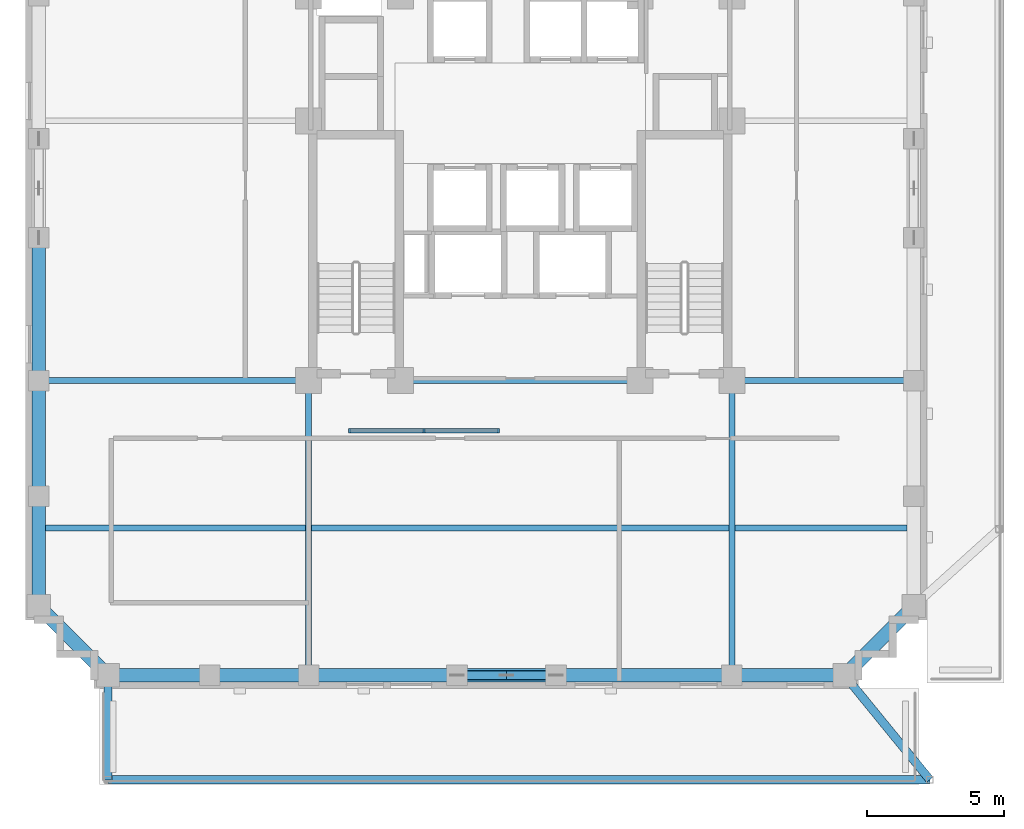
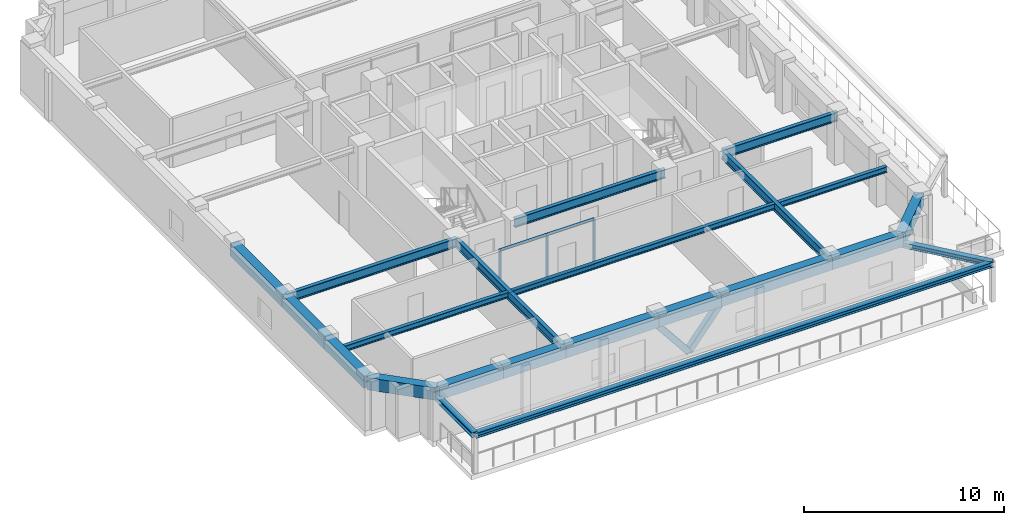
# One storey, part 5 of 15: 22 beams, 9 members, 1 element without a shape of its own.
"""IFC4 building model written with IfcOpenShell, lengths in metres."""

from ifc_helpers import new_model, si_unit, derived_unit, direction, frame, origin, origin_2d, place, context, subcontext, project, spatial, rectangle, hollow_rectangle, i_section, extrude, material, material_profile, profile_set, type_object, element, aggregate, save


model = new_model("IFC4")

# Units and contexts
model_context = context("Model", 3, precision=1e-05, world=origin(), true_north=direction((0.0, 1.0)))
body_context = subcontext(model_context, "Body", "Model", "MODEL_VIEW")
ifc_project = project(units=[si_unit("LENGTHUNIT", "METRE"), si_unit("AREAUNIT", "SQUARE_METRE"), si_unit("VOLUMEUNIT", "CUBIC_METRE"), si_unit("PLANEANGLEUNIT", "RADIAN"), si_unit("MASSUNIT", "GRAM", prefix="KILO"), derived_unit("THERMALTRANSMITTANCEUNIT", [(si_unit("MASSUNIT", "GRAM", prefix="KILO"), 1), (si_unit("TIMEUNIT", "SECOND"), -3), (si_unit("THERMODYNAMICTEMPERATUREUNIT", "KELVIN"), -1)])], contexts=[model_context])

# Site, building, storey
site_placement = place(None, origin())
site = spatial("IfcSite", under=ifc_project, at=site_placement, CompositionType="ELEMENT")
building_placement = place(site_placement, origin())
building = spatial("IfcBuilding", under=site, at=building_placement, Name="Korrvale Station Residences", CompositionType="ELEMENT")
storey_placement = place(building_placement, frame((0.0, 0.0, 124.39990234375)))
storey = spatial("IfcBuildingStorey", under=building, at=storey_placement, Name="L35", CompositionType="ELEMENT", Elevation=124.39990234375)

# Beams
ifc_material_1 = material(Name="Steel S355", Category="steel")
ifc_material_profile_1 = material_profile(ifc_material_1, i_section(OverallWidth=0.214111328125, OverallDepth=0.549072265625, WebThickness=0.0146484375, FlangeThickness=0.023681640625, FilletRadius=0.01806640625, at=origin_2d()), Name="W530x138")
ifc_profile_set_1 = profile_set([ifc_material_profile_1], Name="Steel S355")
beam_type_1 = type_object("IfcBeamType", Name="BM-BM-W530x138-S355", PredefinedType="BEAM", material=ifc_profile_set_1)
for number, where, z_axis, x_axis, name in (
    (1, (17.800048828125, 4.280029296875, 2.715576171875), (0.0, 1.0, 0.0), (-1.0, 0.0, 0.0), "L35 Bundled-Tube Web Girder 01"),
    (2, (33.199951171875, 4.280029296875, 2.715576171875), (0.0, 1.0, 0.0), (-1.0, 0.0, 0.0), "L35 Bundled-Tube Web Girder 02"),
):
    element("IfcBeam", number, at=place(storey_placement, frame(where, z_axis=z_axis, x_axis=x_axis)), inside=storey, type_object=beam_type_1, Name=name, PredefinedType="BEAM", context=body_context, shape_type="SweptSolid", body=[
        extrude(i_section(OverallWidth=0.214111328125, OverallDepth=0.549072265625, WebThickness=0.0146484375, FlangeThickness=0.023681640625, FilletRadius=0.01806640625, at=origin_2d()), origin(), (0.0, 0.0, 1.0), 10.719970703125),
    ])
beam_1_placement = place(storey_placement, frame((7.97998046875, 15.0, 2.715576171875), z_axis=(1.0, 0.0, 0.0), x_axis=(0.0, 1.0, 0.0)))
element("IfcBeam", 3, at=beam_1_placement, inside=storey, type_object=beam_type_1, Name="L35 Bundled-Tube Web Girder 05", PredefinedType="BEAM", context=body_context, shape_type="SweptSolid", body=[
    extrude(i_section(OverallWidth=0.214111328125, OverallDepth=0.549072265625, WebThickness=0.0146484375, FlangeThickness=0.023681640625, FilletRadius=0.01806640625, at=origin_2d()), origin(), (0.0, 0.0, 1.0), 9.820068359375),
])
beam_2_placement = place(storey_placement, frame((33.199951171875, 15.0, 2.715576171875), z_axis=(1.0, 0.0, 0.0), x_axis=(0.0, 1.0, 0.0)))
element("IfcBeam", 4, at=beam_2_placement, inside=storey, type_object=beam_type_1, Name="L35 Bundled-Tube Web Girder 06", PredefinedType="BEAM", context=body_context, shape_type="SweptSolid", body=[
    extrude(i_section(OverallWidth=0.214111328125, OverallDepth=0.549072265625, WebThickness=0.0146484375, FlangeThickness=0.023681640625, FilletRadius=0.01806640625, at=origin_2d()), origin(), (0.0, 0.0, 1.0), 6.6201171875),
])
beam_3_placement = place(storey_placement, frame((21.14990234375, 15.0, 2.715576171875), z_axis=(1.0, 0.0, 0.0), x_axis=(0.0, 1.0, 0.0)))
element("IfcBeam", 5, at=beam_3_placement, inside=storey, type_object=beam_type_1, Name="L35 Bundled-Tube Web Girder 09", PredefinedType="BEAM", context=body_context, shape_type="SweptSolid", body=[
    extrude(i_section(OverallWidth=0.214111328125, OverallDepth=0.549072265625, WebThickness=0.0146484375, FlangeThickness=0.023681640625, FilletRadius=0.01806640625, at=origin_2d()), origin(), (0.0, 0.0, 1.0), 8.7001953125),
])
ifc_material_profile_2 = material_profile(ifc_material_1, i_section(OverallWidth=0.205078125, OverallDepth=0.35400390625, WebThickness=0.009521484375, FlangeThickness=0.016845703125, FilletRadius=0.014892578125, at=origin_2d()), Name="W360x79")
ifc_profile_set_2 = profile_set([ifc_material_profile_2], Name="Steel S355")
beam_type_2 = type_object("IfcBeamType", Name="BM-JST-W360x79-S355", PredefinedType="JOIST", material=ifc_profile_set_2)
beam_4_placement = place(storey_placement, frame((8.22998046875, 9.639892578125, 2.81298828125), z_axis=(1.0, 0.0, 0.0), x_axis=(0.0, 1.0, 0.0)))
element("IfcBeam", 6, at=beam_4_placement, inside=storey, type_object=beam_type_2, Name="L35 Floor Framing Joist 01", PredefinedType="JOIST", context=body_context, shape_type="SweptSolid", body=[
    extrude(i_section(OverallWidth=0.205078125, OverallDepth=0.35400390625, WebThickness=0.009521484375, FlangeThickness=0.016845703125, FilletRadius=0.014892578125, at=origin_2d()), origin(), (0.0, 0.0, 1.0), 9.463134765625),
])
beam_5_placement = place(storey_placement, frame((17.906982421875, 9.639892578125, 2.81298828125), z_axis=(1.0, 0.0, 0.0), x_axis=(0.0, 1.0, 0.0)))
element("IfcBeam", 7, at=beam_5_placement, inside=storey, type_object=beam_type_2, Name="L35 Floor Framing Joist 02", PredefinedType="JOIST", context=body_context, shape_type="SweptSolid", body=[
    extrude(i_section(OverallWidth=0.205078125, OverallDepth=0.35400390625, WebThickness=0.009521484375, FlangeThickness=0.016845703125, FilletRadius=0.014892578125, at=origin_2d()), origin(), (0.0, 0.0, 1.0), 15.18603515625),
])
beam_6_placement = place(storey_placement, frame((33.306884765625, 9.639892578125, 2.81298828125), z_axis=(1.0, 0.0, 0.0), x_axis=(0.0, 1.0, 0.0)))
element("IfcBeam", 8, at=beam_6_placement, inside=storey, type_object=beam_type_2, Name="L35 Floor Framing Joist 03", PredefinedType="JOIST", context=body_context, shape_type="SweptSolid", body=[
    extrude(i_section(OverallWidth=0.205078125, OverallDepth=0.35400390625, WebThickness=0.009521484375, FlangeThickness=0.016845703125, FilletRadius=0.014892578125, at=origin_2d()), origin(), (0.0, 0.0, 1.0), 6.26318359375),
])
ifc_material_2 = material(Name="Concrete C60/75", Category="concrete")
ifc_material_profile_3 = material_profile(ifc_material_2, rectangle(XDim=0.5, YDim=0.75, at=origin_2d()), Name="RCB500x750")
ifc_profile_set_3 = profile_set([ifc_material_profile_3], Name="Concrete C60/75")
beam_type_3 = type_object("IfcBeamType", Name="BM-SPB-RCB500x750-C6075", PredefinedType="SPANDREL", material=ifc_profile_set_3)
beam_7_placement = place(storey_placement, frame((10.5, 4.280029296875, 2.614990234375), z_axis=(1.0, 0.0, 0.0), x_axis=(0.0, 1.0, 0.0)))
element("IfcBeam", 9, at=beam_7_placement, inside=storey, type_object=beam_type_3, Name="L35 South Tube Spandrel 01", PredefinedType="SPANDREL", context=body_context, shape_type="SweptSolid", body=[
    extrude(rectangle(XDim=0.5, YDim=0.75, at=origin_2d()), origin(), (0.0, 0.0, 1.0), 3.699951171875),
])
beam_8_placement = place(storey_placement, frame((14.199951171875, 4.280029296875, 2.614990234375), z_axis=(1.0, 0.0, 0.0), x_axis=(0.0, 1.0, 0.0)))
element("IfcBeam", 10, at=beam_8_placement, inside=storey, type_object=beam_type_3, Name="L35 South Tube Spandrel 02", PredefinedType="SPANDREL", context=body_context, shape_type="SweptSolid", body=[
    extrude(rectangle(XDim=0.5, YDim=0.75, at=origin_2d()), origin(), (0.0, 0.0, 1.0), 3.60009765625),
])
beam_9_placement = place(storey_placement, frame((17.800048828125, 4.280029296875, 2.614990234375), z_axis=(1.0, 0.0, 0.0), x_axis=(0.0, 1.0, 0.0)))
element("IfcBeam", 11, at=beam_9_placement, inside=storey, type_object=beam_type_3, Name="L35 South Tube Spandrel 03", PredefinedType="SPANDREL", context=body_context, shape_type="SweptSolid", body=[
    extrude(rectangle(XDim=0.5, YDim=0.75, at=origin_2d()), origin(), (0.0, 0.0, 1.0), 5.39990234375),
])
beam_10_placement = place(storey_placement, frame((23.199951171875, 4.280029296875, 2.614990234375), z_axis=(1.0, 0.0, 0.0), x_axis=(0.0, 1.0, 0.0)))
element("IfcBeam", 12, at=beam_10_placement, inside=storey, type_object=beam_type_3, Name="L35 South Tube Spandrel 04", PredefinedType="SPANDREL", context=body_context, shape_type="SweptSolid", body=[
    extrude(rectangle(XDim=0.5, YDim=0.75, at=origin_2d()), origin(), (0.0, 0.0, 1.0), 3.60009765625),
])
beam_11_placement = place(storey_placement, frame((26.800048828125, 4.280029296875, 2.614990234375), z_axis=(1.0, 0.0, 0.0), x_axis=(0.0, 1.0, 0.0)))
element("IfcBeam", 13, at=beam_11_placement, inside=storey, type_object=beam_type_3, Name="L35 South Tube Spandrel 05", PredefinedType="SPANDREL", context=body_context, shape_type="SweptSolid", body=[
    extrude(rectangle(XDim=0.5, YDim=0.75, at=origin_2d()), origin(), (0.0, 0.0, 1.0), 6.39990234375),
])
beam_12_placement = place(storey_placement, frame((33.199951171875, 4.280029296875, 2.614990234375), z_axis=(1.0, 0.0, 0.0), x_axis=(0.0, 1.0, 0.0)))
element("IfcBeam", 14, at=beam_12_placement, inside=storey, type_object=beam_type_3, Name="L35 South Tube Spandrel 06", PredefinedType="SPANDREL", context=body_context, shape_type="SweptSolid", body=[
    extrude(rectangle(XDim=0.5, YDim=0.75, at=origin_2d()), origin(), (0.0, 0.0, 1.0), 4.10009765625),
])
beam_13_placement = place(storey_placement, frame((7.97998046875, 6.800048828125, 2.614990234375), z_axis=(0.0, 1.0, 0.0), x_axis=(-1.0, 0.0, 0.0)))
element("IfcBeam", 15, at=beam_13_placement, inside=storey, type_object=beam_type_3, Name="L35 West Tube Spandrel 13", PredefinedType="SPANDREL", context=body_context, shape_type="SweptSolid", body=[
    extrude(rectangle(XDim=0.5, YDim=0.75, at=origin_2d()), origin(), (0.0, 0.0, 1.0), 4.0),
])
beam_14_placement = place(storey_placement, frame((7.97998046875, 10.800048828125, 2.614990234375), z_axis=(0.0, 1.0, 0.0), x_axis=(-1.0, 0.0, 0.0)))
element("IfcBeam", 16, at=beam_14_placement, inside=storey, type_object=beam_type_3, Name="L35 West Tube Spandrel 14", PredefinedType="SPANDREL", context=body_context, shape_type="SweptSolid", body=[
    extrude(rectangle(XDim=0.5, YDim=0.75, at=origin_2d()), origin(), (0.0, 0.0, 1.0), 4.199951171875),
])
beam_15_placement = place(storey_placement, frame((7.97998046875, 15.0, 2.614990234375), z_axis=(0.0, 1.0, 0.0), x_axis=(-1.0, 0.0, 0.0)))
element("IfcBeam", 17, at=beam_15_placement, inside=storey, type_object=beam_type_3, Name="L35 West Tube Spandrel 15", PredefinedType="SPANDREL", context=body_context, shape_type="SweptSolid", body=[
    extrude(rectangle(XDim=0.5, YDim=0.75, at=origin_2d()), origin(), (0.0, 0.0, 1.0), 5.199951171875),
])
for number, where, z_axis, x_axis, name in (
    (18, (10.5, 4.280029296875, 2.614990234375), (-0.707106781187, 0.707106781187, 0.0), (-0.707106781187, -0.707106781187, 0.0), "L35 Serrated Corner Spandrel 27"),
    (19, (37.300048828125, 4.280029296875, 2.614990234375), (0.707106781187, 0.707106781187, 0.0), (-0.707106781187, 0.707106781187, 0.0), "L35 Serrated Corner Spandrel 28"),
):
    element("IfcBeam", number, at=place(storey_placement, frame(where, z_axis=z_axis, x_axis=x_axis)), inside=storey, type_object=beam_type_3, Name=name, PredefinedType="SPANDREL", context=body_context, shape_type="SweptSolid", body=[
        extrude(rectangle(XDim=0.5, YDim=0.75, at=origin_2d()), origin(), (0.0, 0.0, 1.0), 3.56396484375),
    ])
ifc_material_profile_4 = material_profile(ifc_material_1, i_section(OverallWidth=0.304931640625, OverallDepth=0.30810546875, WebThickness=0.010009765625, FlangeThickness=0.015380859375, FilletRadius=0.014892578125, at=origin_2d()), Name="W310x97")
ifc_profile_set_4 = profile_set([ifc_material_profile_4], Name="Steel S355")
beam_type_4 = type_object("IfcBeamType", Name="BM-SPB-W310x97-S355", PredefinedType="SPANDREL", material=ifc_profile_set_4)
beam_16_placement = place(storey_placement, frame((10.5, 0.47998046875, 2.296142578125), z_axis=(1.0, 0.0, 0.0), x_axis=(0.0, 1.0, 0.0)))
element("IfcBeam", 20, at=beam_16_placement, inside=storey, type_object=beam_type_4, Name="L35 Setback Canopy Edge Beam 1", PredefinedType="SPANDREL", context=body_context, shape_type="SweptSolid", body=[
    extrude(i_section(OverallWidth=0.304931640625, OverallDepth=0.30810546875, WebThickness=0.010009765625, FlangeThickness=0.015380859375, FilletRadius=0.014892578125, at=origin_2d()), origin(), (0.0, 0.0, 1.0), 29.89990234375),
])
beam_17_placement = place(storey_placement, frame((10.5, 0.47998046875, 2.296142578125), z_axis=(0.0, 1.0, 0.0), x_axis=(-1.0, 0.0, 0.0)))
element("IfcBeam", 21, at=beam_17_placement, inside=storey, type_object=beam_type_4, Name="L35 Setback Canopy Edge Beam 2", PredefinedType="SPANDREL", context=body_context, shape_type="SweptSolid", body=[
    extrude(i_section(OverallWidth=0.304931640625, OverallDepth=0.30810546875, WebThickness=0.010009765625, FlangeThickness=0.015380859375, FilletRadius=0.014892578125, at=origin_2d()), origin(), (0.0, 0.0, 1.0), 3.800048828125),
])
beam_18_placement = place(storey_placement, frame((40.39990234375, 0.47998046875, 2.296142578125), z_axis=(-0.632103915696, 0.774883629819, 0.0), x_axis=(-0.774883629819, -0.632103915696, 0.0)))
element("IfcBeam", 22, at=beam_18_placement, inside=storey, type_object=beam_type_4, Name="L35 Setback Canopy Edge Beam 3", PredefinedType="SPANDREL", context=body_context, shape_type="SweptSolid", body=[
    extrude(i_section(OverallWidth=0.304931640625, OverallDepth=0.30810546875, WebThickness=0.010009765625, FlangeThickness=0.015380859375, FilletRadius=0.014892578125, at=origin_2d()), origin(), (0.0, 0.0, 1.0), 4.904052734375),
])

# Curtain wall, members
ifc_material_3 = material(Name="Unitised thermally broken aluminium curtain wall with triple low-e IGU", Category="aluminium")
curtain_wall_type = type_object("IfcCurtainWallType", Name="CW-SKY-L35", PredefinedType="NOTDEFINED", material=ifc_material_3)
curtain_wall_placement = place(storey_placement, origin())
curtain_wall = element("IfcCurtainWall", 23, at=curtain_wall_placement, inside=storey, type_object=curtain_wall_type, Name="L35 Curtain Wall CW4-RUN-3", PredefinedType="NOTDEFINED")
ifc_material_4 = material(Name="Extruded thermally broken aluminium mullion", Category="aluminium")
member_type_1 = type_object("IfcMemberType", Name="CW-SKY-L35-M", PredefinedType="MULLION", material=ifc_material_4)
member_1_placement = place(storey_placement, frame((19.28759765625, 13.179931640625, 0.0), z_axis=(0.0, 0.0, 1.0), x_axis=(1.0, 0.0, 0.0)))
member_1 = element("IfcMember", 24, at=member_1_placement, type_object=member_type_1, Name="CW-SKY-L35 Mullion 1", PredefinedType="MULLION", context=body_context, shape_type="SweptSolid", body=[
    extrude(rectangle(XDim=0.074951171875, YDim=0.1650390625, at=origin_2d()), origin(), (0.0, 0.0, 1.0), 2.820068359375),
])
member_2_placement = place(storey_placement, frame((22.0, 13.179931640625, 0.0), z_axis=(0.0, 0.0, 1.0), x_axis=(1.0, 0.0, 0.0)))
member_2 = element("IfcMember", 25, at=member_2_placement, type_object=member_type_1, Name="CW-SKY-L35 Mullion 2", PredefinedType="MULLION", context=body_context, shape_type="SweptSolid", body=[
    extrude(rectangle(XDim=0.074951171875, YDim=0.1650390625, at=origin_2d()), origin(), (0.0, 0.0, 1.0), 2.820068359375),
])
member_3_placement = place(storey_placement, frame((24.71240234375, 13.179931640625, 0.0), z_axis=(0.0, 0.0, 1.0), x_axis=(1.0, 0.0, 0.0)))
member_3 = element("IfcMember", 26, at=member_3_placement, type_object=member_type_1, Name="CW-SKY-L35 Mullion 3", PredefinedType="MULLION", context=body_context, shape_type="SweptSolid", body=[
    extrude(rectangle(XDim=0.074951171875, YDim=0.1650390625, at=origin_2d()), origin(), (0.0, 0.0, 1.0), 2.820068359375),
])
ifc_material_5 = material(Name="Extruded thermally broken aluminium transom", Category="aluminium")
member_type_2 = type_object("IfcMemberType", Name="CW-SKY-L35-T", PredefinedType="USERDEFINED", material=ifc_material_5)
member_4_placement = place(storey_placement, frame((20.625, 13.179931640625, 0.0), z_axis=(0.0, 0.0, 1.0), x_axis=(1.0, 0.0, 0.0)))
member_4 = element("IfcMember", 27, at=member_4_placement, type_object=member_type_2, Name="CW-SKY-L35 Transom 1-1", ObjectType="TRANSOM", PredefinedType="USERDEFINED", context=body_context, shape_type="SweptSolid", body=[
    extrude(rectangle(XDim=2.675048828125, YDim=0.1650390625, at=origin_2d()), origin(), (0.0, 0.0, 1.0), 0.074951171875),
])
member_5_placement = place(storey_placement, frame((20.625, 13.179931640625, 2.7451171875), z_axis=(0.0, 0.0, 1.0), x_axis=(1.0, 0.0, 0.0)))
member_5 = element("IfcMember", 28, at=member_5_placement, type_object=member_type_2, Name="CW-SKY-L35 Transom 1-2", ObjectType="TRANSOM", PredefinedType="USERDEFINED", context=body_context, shape_type="SweptSolid", body=[
    extrude(rectangle(XDim=2.675048828125, YDim=0.1650390625, at=origin_2d()), origin(), (0.0, 0.0, 1.0), 0.074951171875),
])
member_6_placement = place(storey_placement, frame((23.375, 13.179931640625, 0.0), z_axis=(0.0, 0.0, 1.0), x_axis=(1.0, 0.0, 0.0)))
member_6 = element("IfcMember", 29, at=member_6_placement, type_object=member_type_2, Name="CW-SKY-L35 Transom 2-1", ObjectType="TRANSOM", PredefinedType="USERDEFINED", context=body_context, shape_type="SweptSolid", body=[
    extrude(rectangle(XDim=2.675048828125, YDim=0.1650390625, at=origin_2d()), origin(), (0.0, 0.0, 1.0), 0.074951171875),
])
member_7_placement = place(storey_placement, frame((23.375, 13.179931640625, 2.7451171875), z_axis=(0.0, 0.0, 1.0), x_axis=(1.0, 0.0, 0.0)))
member_7 = element("IfcMember", 30, at=member_7_placement, type_object=member_type_2, Name="CW-SKY-L35 Transom 2-2", ObjectType="TRANSOM", PredefinedType="USERDEFINED", context=body_context, shape_type="SweptSolid", body=[
    extrude(rectangle(XDim=2.675048828125, YDim=0.1650390625, at=origin_2d()), origin(), (0.0, 0.0, 1.0), 0.074951171875),
])
aggregate(curtain_wall, [member_1, member_2, member_3, member_4, member_5, member_6, member_7])

# Members
ifc_material_profile_5 = material_profile(ifc_material_1, hollow_rectangle(XDim=0.355712890625, YDim=0.355712890625, WallThickness=0.015869140625, InnerFilletRadius=0.015869140625, OuterFilletRadius=0.03173828125, at=origin_2d()), Name="HSS356x356x16")
ifc_profile_set_5 = profile_set([ifc_material_profile_5], Name="Steel S355")
member_type_3 = type_object("IfcMemberType", Name="MBR-BR-HSS356x356x16", PredefinedType="BRACE", material=ifc_profile_set_5)
for number, where, z_axis, x_axis, name in (
    (31, (25.0, 4.280029296875, 0.02001953125), (-0.62640309239, 0.0, 0.779499304582), (0.0, -1.0, 0.0), "L35 S Perimeter Tube Wind Brace 1"),
    (32, (25.0, 4.280029296875, 0.02001953125), (0.62640309239, 0.0, 0.779499304582), (0.0, 1.0, 0.0), "L35 S Perimeter Tube Wind Brace 2"),
):
    element("IfcMember", number, at=place(storey_placement, frame(where, z_axis=z_axis, x_axis=x_axis)), inside=storey, type_object=member_type_3, Name=name, PredefinedType="BRACE", context=body_context, shape_type="SweptSolid", body=[
        extrude(hollow_rectangle(XDim=0.355712890625, YDim=0.355712890625, WallThickness=0.015869140625, InnerFilletRadius=0.015869140625, OuterFilletRadius=0.03173828125, at=origin_2d()), origin(), (0.0, 0.0, 1.0), 2.87353515625),
    ])

save(model, "model.ifc")
